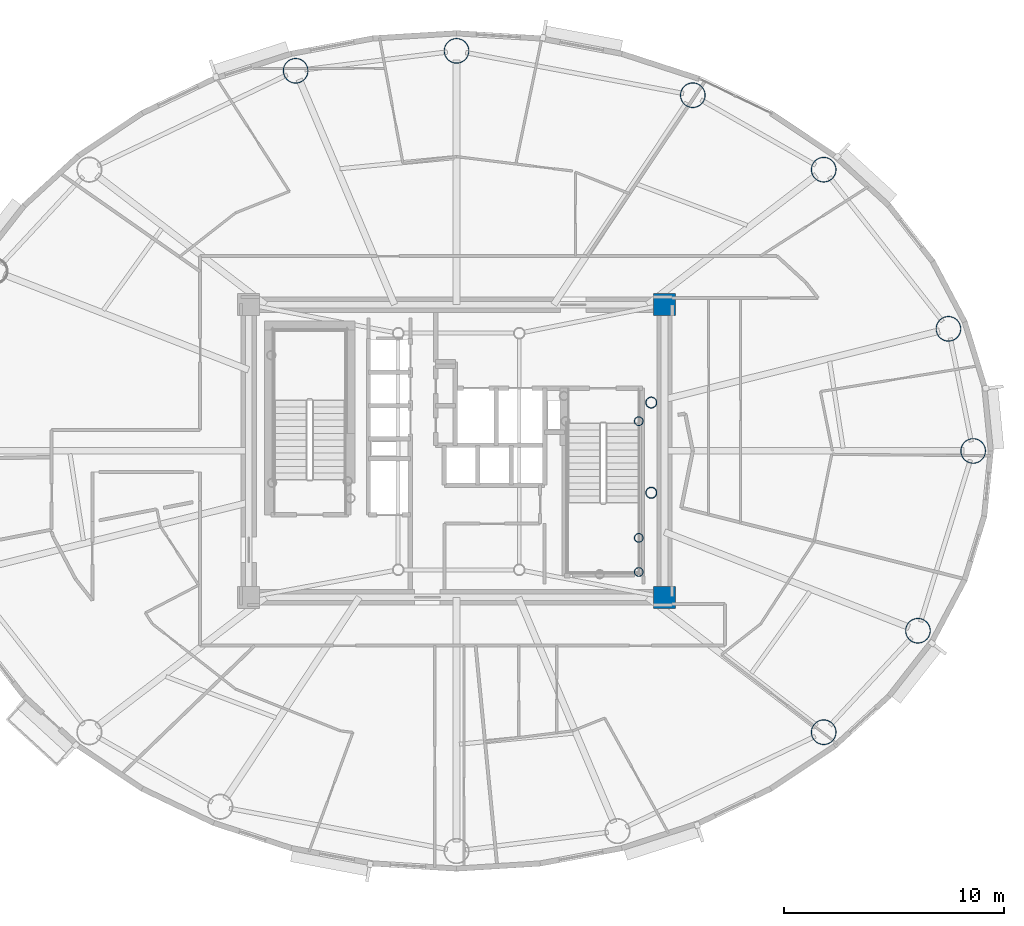
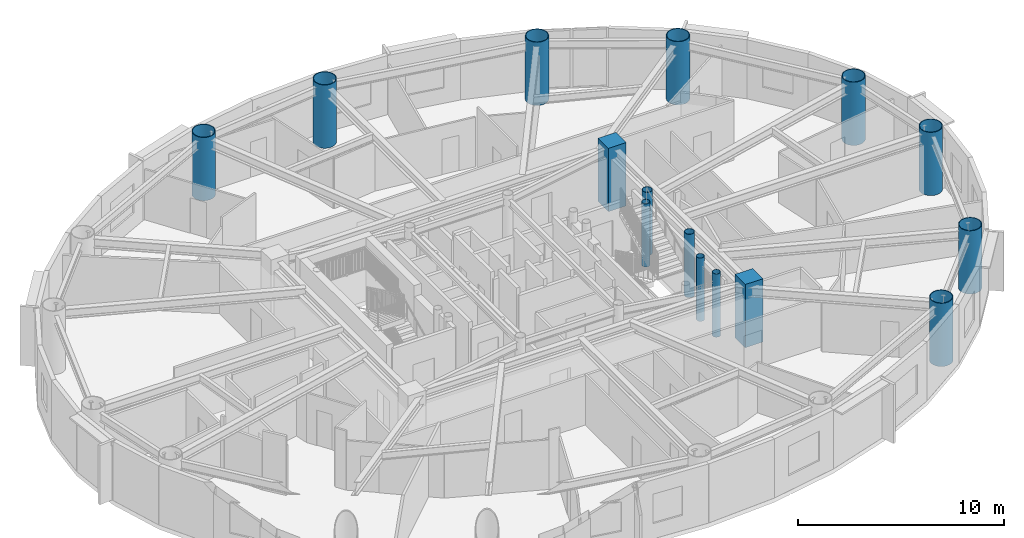
# One storey, part 2 of 16: 15 columns.
"""IFC4 building model written with IfcOpenShell, lengths in metres."""

from ifc_helpers import new_model, si_unit, direction, frame, origin, origin_2d, place, context, subcontext, project, spatial, rectangle, hollow_circle, extrude, material, material_profile, profile_set, type_object, element, save


model = new_model("IFC4")

# Units and contexts
model_context = context("Model", 3, precision=1e-05, world=origin(), true_north=direction((0.0, 1.0)))
body_context = subcontext(model_context, "Body", "Model", "MODEL_VIEW")
ifc_project = project(units=[si_unit("LENGTHUNIT", "METRE"), si_unit("AREAUNIT", "SQUARE_METRE"), si_unit("VOLUMEUNIT", "CUBIC_METRE"), si_unit("PLANEANGLEUNIT", "RADIAN"), si_unit("MASSUNIT", "GRAM", prefix="KILO")], contexts=[model_context])

# Site, building, storey
site_placement = place(None, origin())
site = spatial("IfcSite", under=ifc_project, at=site_placement, CompositionType="ELEMENT")
building_placement = place(site_placement, origin())
building = spatial("IfcBuilding", under=site, at=building_placement, Name="Linh Dai School and Residence Tower", CompositionType="ELEMENT")
storey_placement = place(building_placement, frame((0.0, 0.0, 255.300048828125)))
storey = spatial("IfcBuildingStorey", under=building, at=storey_placement, Name="L63", CompositionType="ELEMENT", Elevation=255.300048828125)

# Columns
ifc_material_1 = material(Name="Concrete B45 (C35/45)", Category="concrete")
ifc_material_profile_1 = material_profile(ifc_material_1, rectangle(XDim=1.0, YDim=1.0, at=origin_2d()), Name="RC 1000x1000")
ifc_profile_set_1 = profile_set([ifc_material_profile_1], Name="Concrete B45 (C35/45)")
column_type_1 = type_object("IfcColumnType", Name="COL-CC3", PredefinedType="COLUMN", material=ifc_profile_set_1)
for number, where, z_axis, x_axis, name in (
    (1, (45.449951171875, 20.35009765625, 0.0), (0.0, 0.0, 1.0), (1.0, 0.0, 0.0), "L63 Core Corner Pier CC2"),
    (2, (45.449951171875, 33.64990234375, 0.0), (0.0, 0.0, 1.0), (1.0, 0.0, 0.0), "L63 Core Corner Pier CC3"),
):
    element("IfcColumn", number, at=place(storey_placement, frame(where, z_axis=z_axis, x_axis=x_axis)), inside=storey, type_object=column_type_1, Name=name, PredefinedType="COLUMN", context=body_context, shape_type="SweptSolid", body=[
        extrude(rectangle(XDim=1.0, YDim=1.0, at=origin_2d()), origin(), (0.0, 0.0, 1.0), 3.75),
    ])
ifc_material_2 = material(Name="Structural Steel S355JR", Category="steel")
ifc_material_profile_2 = material_profile(ifc_material_2, hollow_circle(Radius=0.203125, WallThickness=0.01611328125, at=origin_2d()), Name="CHS 406.4x16")
ifc_profile_set_2 = profile_set([ifc_material_profile_2], Name="Structural Steel S355JR")
column_type_2 = type_object("IfcColumnType", Name="COL-EC", PredefinedType="COLUMN", material=ifc_profile_set_2)
for number, where, z_axis, x_axis, name in (
    (3, (44.280029296875, 21.5, 0.0), (0.0, 0.0, 1.0), (1.0, 0.0, 0.0), "L63 Stair Shaft Landing Support Pier ST2SE"),
    (4, (44.280029296875, 23.050048828125, 0.0), (0.0, 0.0, 1.0), (1.0, 0.0, 0.0), "L63 Stair Shaft Landing Support Pier ST2NE"),
    (5, (44.280029296875, 28.35009765625, 0.0), (0.0, 0.0, 1.0), (1.0, 0.0, 0.0), "L63 Stair Shaft Landing Support Pier ST2N2"),
):
    element("IfcColumn", number, at=place(storey_placement, frame(where, z_axis=z_axis, x_axis=x_axis)), inside=storey, type_object=column_type_2, Name=name, PredefinedType="COLUMN", context=body_context, shape_type="SweptSolid", body=[
        extrude(hollow_circle(Radius=0.203125, WallThickness=0.01611328125, at=origin_2d()), origin(), (0.0, 0.0, 1.0), 3.75),
    ])
ifc_material_profile_3 = material_profile(ifc_material_2, hollow_circle(Radius=0.574951171875, WallThickness=0.035888671875, at=origin_2d()), Name="CHS 1150x36")
ifc_profile_set_3 = profile_set([ifc_material_profile_3], Name="Structural Steel S355JR")
column_type_3 = type_object("IfcColumnType", Name="COL-MC5", PredefinedType="COLUMN", material=ifc_profile_set_3)
for number, where, z_axis, x_axis, name in (
    (6, (59.47509765625, 27.0, 0.0), (0.0, 0.0, 1.0), (1.0, 0.0, 0.0), "L63 Perimeter CFT Mega-Column MC01"),
    (7, (58.351318359375, 32.54931640625, 0.0), (0.0, 0.0, 1.0), (1.0, 0.0, 0.0), "L63 Perimeter CFT Mega-Column MC02"),
    (8, (52.68310546875, 39.781005859375, 0.0), (0.0, 0.0, 1.0), (1.0, 0.0, 0.0), "L63 Perimeter CFT Mega-Column MC03"),
    (9, (46.734619140625, 43.16357421875, 0.0), (0.0, 0.0, 1.0), (1.0, 0.0, 0.0), "L63 Perimeter CFT Mega-Column MC04"),
    (10, (36.0, 45.179931640625, 0.0), (0.0, 0.0, 1.0), (1.0, 0.0, 0.0), "L63 Perimeter CFT Mega-Column MC05"),
    (11, (28.68798828125, 44.2734375, 0.0), (0.0, 0.0, 1.0), (1.0, 0.0, 0.0), "L63 Perimeter CFT Mega-Column MC06"),
    (12, (52.68310546875, 14.218994140625, 0.0), (0.0, 0.0, 1.0), (1.0, 0.0, 0.0), "L63 Perimeter CFT Mega-Column MC15"),
    (13, (56.96533203125, 18.8310546875, 0.0), (0.0, 0.0, 1.0), (1.0, 0.0, 0.0), "L63 Perimeter CFT Mega-Column MC16"),
):
    element("IfcColumn", number, at=place(storey_placement, frame(where, z_axis=z_axis, x_axis=x_axis)), inside=storey, type_object=column_type_3, Name=name, PredefinedType="COLUMN", context=body_context, shape_type="SweptSolid", body=[
        extrude(hollow_circle(Radius=0.574951171875, WallThickness=0.035888671875, at=origin_2d()), origin(), (0.0, 0.0, 1.0), 3.75),
    ])
ifc_material_profile_4 = material_profile(ifc_material_2, hollow_circle(Radius=0.25390625, WallThickness=0.02001953125, at=origin_2d()), Name="CHS 508x20")
ifc_profile_set_4 = profile_set([ifc_material_profile_4], Name="Structural Steel S355JR")
column_type_4 = type_object("IfcColumnType", Name="COL-MCP", PredefinedType="COLUMN", material=ifc_profile_set_4)
for number, where, z_axis, x_axis, name in (
    (14, (44.85009765625, 25.10009765625, 0.0), (0.0, 0.0, 1.0), (1.0, 0.0, 0.0), "L63 Sky-Lounge Core Anchor Pier S"),
    (15, (44.85009765625, 29.199951171875, 0.0), (0.0, 0.0, 1.0), (1.0, 0.0, 0.0), "L63 Sky-Lounge Core Anchor Pier N"),
):
    element("IfcColumn", number, at=place(storey_placement, frame(where, z_axis=z_axis, x_axis=x_axis)), inside=storey, type_object=column_type_4, Name=name, PredefinedType="COLUMN", context=body_context, shape_type="SweptSolid", body=[
        extrude(hollow_circle(Radius=0.25390625, WallThickness=0.02001953125, at=origin_2d()), origin(), (0.0, 0.0, 1.0), 3.75),
    ])

save(model, "model.ifc")
